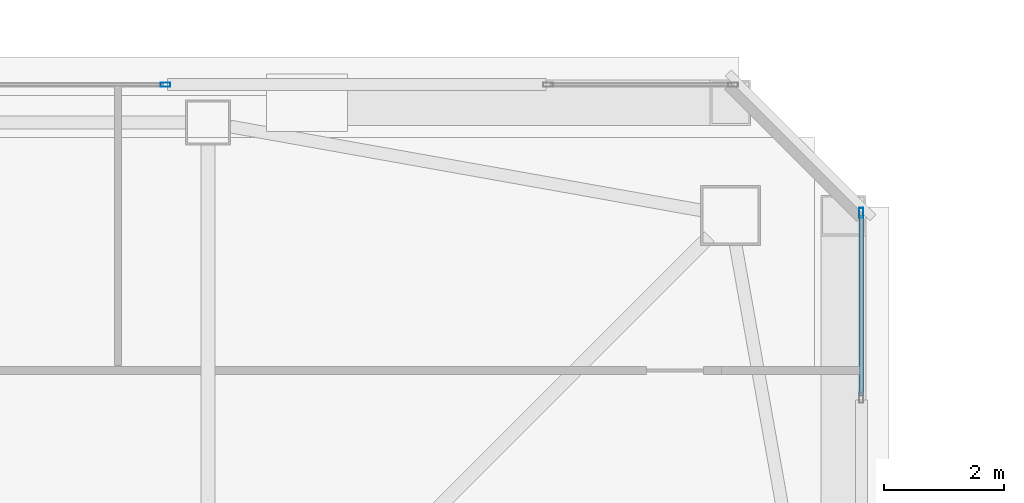
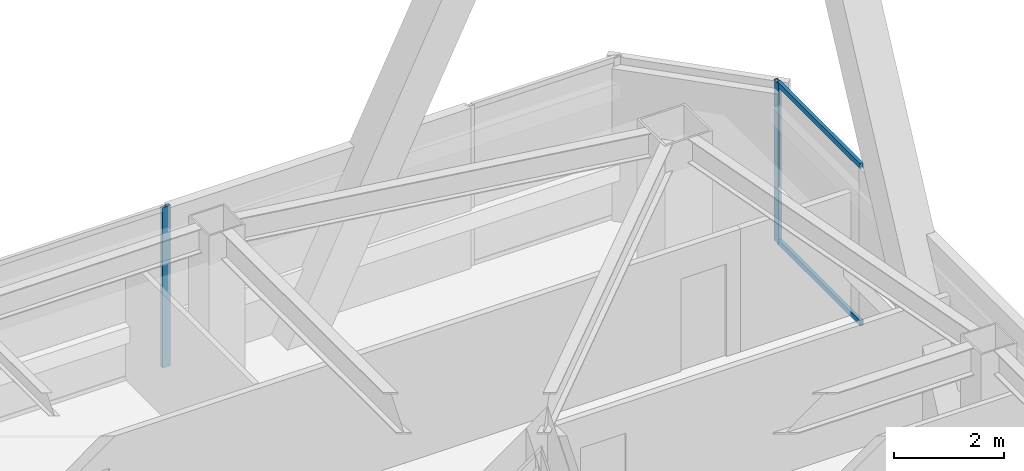
# One storey, part 23 of 56: 4 members, 2 elements without a shape of their own.
"""IFC4 building model written with IfcOpenShell, lengths in metres."""

from ifc_helpers import new_model, si_unit, direction, frame, origin, origin_2d, place, context, subcontext, project, spatial, hollow_rectangle, extrude, material, material_profile, profile_set, type_object, element, aggregate, save


model = new_model("IFC4")

# Units and contexts
model_context = context("Model", 3, precision=1e-05, world=origin(), true_north=direction((0.0, 1.0)))
body_context = subcontext(model_context, "Body", "Model", "MODEL_VIEW")
ifc_project = project(units=[si_unit("LENGTHUNIT", "METRE"), si_unit("AREAUNIT", "SQUARE_METRE"), si_unit("VOLUMEUNIT", "CUBIC_METRE"), si_unit("PLANEANGLEUNIT", "RADIAN"), si_unit("MASSUNIT", "GRAM", prefix="KILO")], contexts=[model_context])

# Site, building, storey
site_placement = place(None, origin())
site = spatial("IfcSite", under=ifc_project, at=site_placement, CompositionType="ELEMENT")
building_placement = place(site_placement, origin())
building = spatial("IfcBuilding", under=site, at=building_placement, Name="Tashvorn Skyway Center", CompositionType="ELEMENT")
storey_placement = place(building_placement, frame((0.0, 0.0, 218.39990234375)))
storey = spatial("IfcBuildingStorey", under=building, at=storey_placement, Name="L59", CompositionType="ELEMENT", Elevation=218.39990234375)

# Curtain wall, member
ifc_material = material(Name="Thermally broken bronze-anodized aluminium 6063-T6", Category="aluminium")
curtain_wall_type = type_object("IfcCurtainWallType", Name="CW-CW-Z5", PredefinedType="NOTDEFINED", material=ifc_material)
curtain_wall_1_placement = place(storey_placement, origin())
curtain_wall_1 = element("IfcCurtainWall", 1, at=curtain_wall_1_placement, inside=storey, type_object=curtain_wall_type, Name="Tower 1 L59 North Unitised Curtain Wall Glazing Group 2", PredefinedType="NOTDEFINED")
ifc_material_profile_1 = material_profile(ifc_material, hollow_rectangle(XDim=0.070068359375, YDim=0.1650390625, WallThickness=0.00390625, at=origin_2d()), Name="ALU-MULL-70x165")
ifc_profile_set_1 = profile_set([ifc_material_profile_1], Name="Thermally broken bronze-anodized aluminium 6063-T6")
member_type_1 = type_object("IfcMemberType", Name="CWM-CW-Z5", PredefinedType="MULLION", material=ifc_profile_set_1)
member_1_placement = place(storey_placement, frame((46.691650390625, 48.280029296875, 0.0), z_axis=(0.0, 0.0, 1.0), x_axis=(0.0, 1.0, 0.0)))
member_1 = element("IfcMember", 2, at=member_1_placement, type_object=member_type_1, Name="CW-Z5 mullion 2", PredefinedType="MULLION", context=body_context, shape_type="SweptSolid", body=[
    extrude(hollow_rectangle(XDim=0.070068359375, YDim=0.1650390625, WallThickness=0.00390625, at=origin_2d()), origin(), (0.0, 0.0, 1.0), 3.550048828125),
])
aggregate(curtain_wall_1, [member_1])

# Curtain wall, members
curtain_wall_2_placement = place(storey_placement, origin())
curtain_wall_2 = element("IfcCurtainWall", 3, at=curtain_wall_2_placement, inside=storey, type_object=curtain_wall_type, Name="Tower 1 L59 East Unitised Curtain Wall Glazing Group 1", PredefinedType="NOTDEFINED")
member_2_placement = place(storey_placement, frame((58.280029296875, 46.14501953125, 0.0), z_axis=(0.0, 0.0, 1.0), x_axis=(1.0, 0.0, 0.0)))
member_2 = element("IfcMember", 4, at=member_2_placement, type_object=member_type_1, Name="CW-Z5 mullion 1", PredefinedType="MULLION", context=body_context, shape_type="SweptSolid", body=[
    extrude(hollow_rectangle(XDim=0.070068359375, YDim=0.1650390625, WallThickness=0.00390625, at=origin_2d()), origin(), (0.0, 0.0, 1.0), 3.550048828125),
])
ifc_material_profile_2 = material_profile(ifc_material, hollow_rectangle(XDim=0.070068359375, YDim=0.114990234375, WallThickness=0.00390625, at=origin_2d()), Name="ALU-TRAN-70x115")
ifc_profile_set_2 = profile_set([ifc_material_profile_2], Name="Thermally broken bronze-anodized aluminium 6063-T6")
member_type_2 = type_object("IfcMemberType", Name="CWT-CW-Z5", PredefinedType="USERDEFINED", material=ifc_profile_set_2)
member_3_placement = place(storey_placement, frame((58.280029296875, 46.110107421875, 0.03515625), z_axis=(0.0, -1.0, 0.0), x_axis=(1.0, 0.0, 0.0)))
member_3 = element("IfcMember", 5, at=member_3_placement, type_object=member_type_2, Name="CW-Z5 transom 1.1", ObjectType="TRANSOM", PredefinedType="USERDEFINED", context=body_context, shape_type="SweptSolid", body=[
    extrude(hollow_rectangle(XDim=0.070068359375, YDim=0.114990234375, WallThickness=0.00390625, at=origin_2d()), origin(), (0.0, 0.0, 1.0), 3.01123046875),
])
member_4_placement = place(storey_placement, frame((58.280029296875, 46.110107421875, 3.51513671875), z_axis=(0.0, -1.0, 0.0), x_axis=(1.0, 0.0, 0.0)))
member_4 = element("IfcMember", 6, at=member_4_placement, type_object=member_type_2, Name="CW-Z5 transom 1.2", ObjectType="TRANSOM", PredefinedType="USERDEFINED", context=body_context, shape_type="SweptSolid", body=[
    extrude(hollow_rectangle(XDim=0.070068359375, YDim=0.114990234375, WallThickness=0.00390625, at=origin_2d()), origin(), (0.0, 0.0, 1.0), 3.01123046875),
])
aggregate(curtain_wall_2, [member_2, member_3, member_4])

save(model, "model.ifc")
